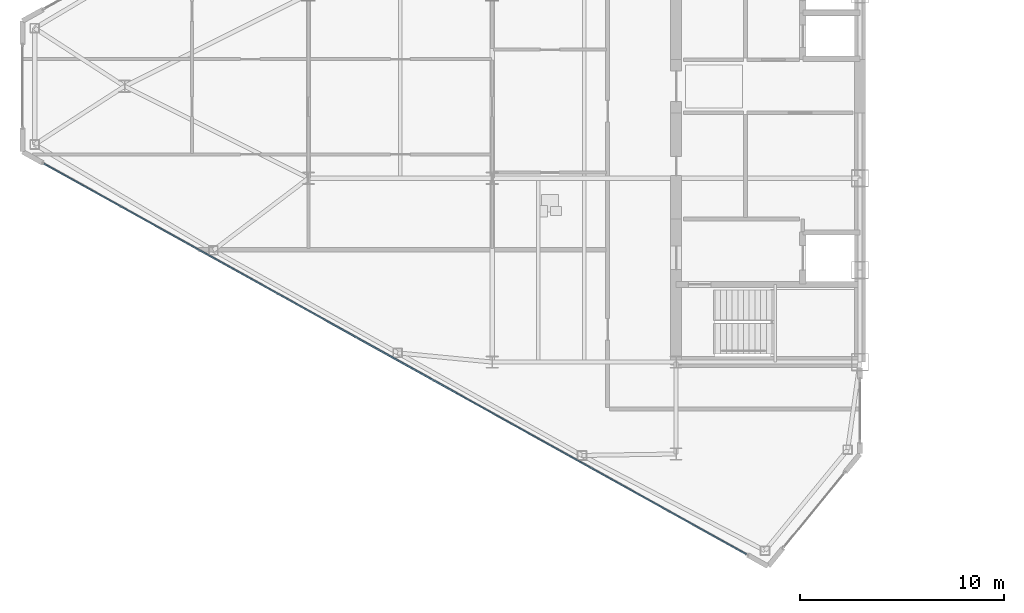
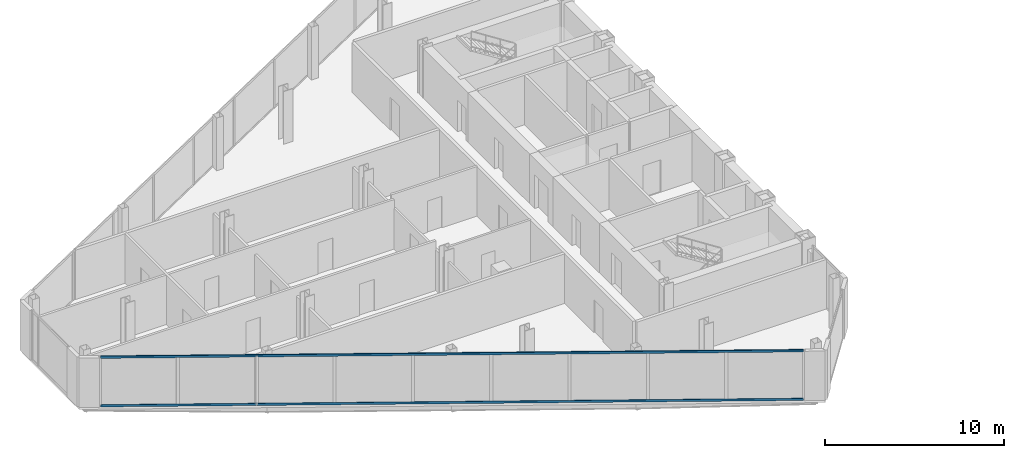
# One storey, part 4 of 26: 2 members, 1 element without a shape of its own.
"""IFC4 building model written with IfcOpenShell, lengths in metres."""

from ifc_helpers import new_model, si_unit, direction, frame, origin, origin_2d, place, context, subcontext, project, spatial, rectangle, extrude, source, transform, mapped, material, layer, layer_set, material_profile, profile_set, type_object, type_shapes, element, aggregate, save


model = new_model("IFC4")

# Units and contexts
model_context = context("Model", 3, precision=1e-05, world=origin(), true_north=direction((0.0, 1.0)))
body_context = subcontext(model_context, "Body", "Model", "MODEL_VIEW")
ifc_project = project(units=[si_unit("LENGTHUNIT", "METRE"), si_unit("AREAUNIT", "SQUARE_METRE"), si_unit("VOLUMEUNIT", "CUBIC_METRE"), si_unit("PLANEANGLEUNIT", "RADIAN"), si_unit("MASSUNIT", "GRAM", prefix="KILO")], contexts=[model_context])

# Site, building, storey
site_placement = place(None, origin())
site = spatial("IfcSite", under=ifc_project, at=site_placement, CompositionType="ELEMENT")
building_placement = place(site_placement, origin())
building = spatial("IfcBuilding", under=site, at=building_placement, Name="Seokmaru Belvedere", CompositionType="ELEMENT")
storey_placement = place(building_placement, frame((0.0, 0.0, 174.300048828125)))
storey = spatial("IfcBuildingStorey", under=building, at=storey_placement, Name="L46", CompositionType="ELEMENT", Elevation=174.300048828125)

# Curtain wall, members
ifc_material_1 = material(Name="Bronze Triple Insulating Glass", Category="glass")
ifc_layer = layer(ifc_material_1, 0.179931640625)
ifc_layer_set = layer_set([ifc_layer], Name="Bronze Triple Insulating Glass")
curtain_wall_type = type_object("IfcCurtainWallType", Name="High-Rise Wind-Corner Curtain Wall System CW-5", PredefinedType="NOTDEFINED", material=ifc_layer_set)
curtain_wall_placement = place(storey_placement, origin())
curtain_wall = element("IfcCurtainWall", 1, at=curtain_wall_placement, inside=storey, type_object=curtain_wall_type, Name="L46 Curtain Wall WF5", PredefinedType="NOTDEFINED")
ifc_material_2 = material(Name="Anodised Bronze Aluminium", Category="aluminium")
ifc_material_profile = material_profile(ifc_material_2, rectangle(XDim=0.06494140625, YDim=0.14990234375, at=origin_2d()), Name="CW-T-65x150")
ifc_profile_set = profile_set([ifc_material_profile], Name="Anodised Bronze Aluminium")
member_type = type_object("IfcMemberType", Name="Bronze Unitised Transom 65x150", PredefinedType="USERDEFINED", material=ifc_profile_set)
shared_shape = source(origin(), body_context, "Body", "SweptSolid", [
    extrude(rectangle(XDim=0.06494140625, YDim=0.14990234375, at=origin_2d()), origin(), (0.0, 0.0, 1.0), 39.33544921875),
])
type_shapes(member_type, [shared_shape])
member_1_placement = place(storey_placement, frame((-67.438232421875, -3.79052734375, 0.032470703125), z_axis=(0.873932045133, -0.486048125693, 0.0), x_axis=(0.486048125693, 0.873932045133, 0.0)))
member_1 = element("IfcMember", 2, at=member_1_placement, type_object=member_type, Name="CW:L46:WF5 Continuous Transom 1", ObjectType="TRANSOM", PredefinedType="USERDEFINED", context=body_context, shape_type="MappedRepresentation", body=[
    mapped(shared_shape, transform((0.0, 0.0, 0.0), scale=1.0)),
])
member_2_placement = place(storey_placement, frame((-67.438232421875, -3.79052734375, 3.347412109375), z_axis=(0.873932045133, -0.486048125693, 0.0), x_axis=(0.486048125693, 0.873932045133, 0.0)))
member_2 = element("IfcMember", 3, at=member_2_placement, type_object=member_type, Name="CW:L46:WF5 Continuous Transom 2", ObjectType="TRANSOM", PredefinedType="USERDEFINED", context=body_context, shape_type="MappedRepresentation", body=[
    mapped(shared_shape, transform((0.0, 0.0, 0.0), scale=1.0)),
])
aggregate(curtain_wall, [member_1, member_2])

save(model, "model.ifc")
